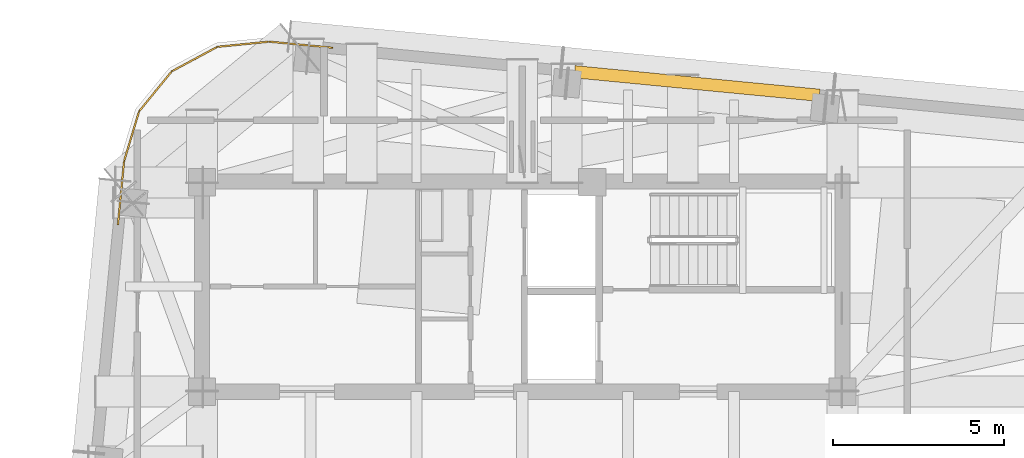
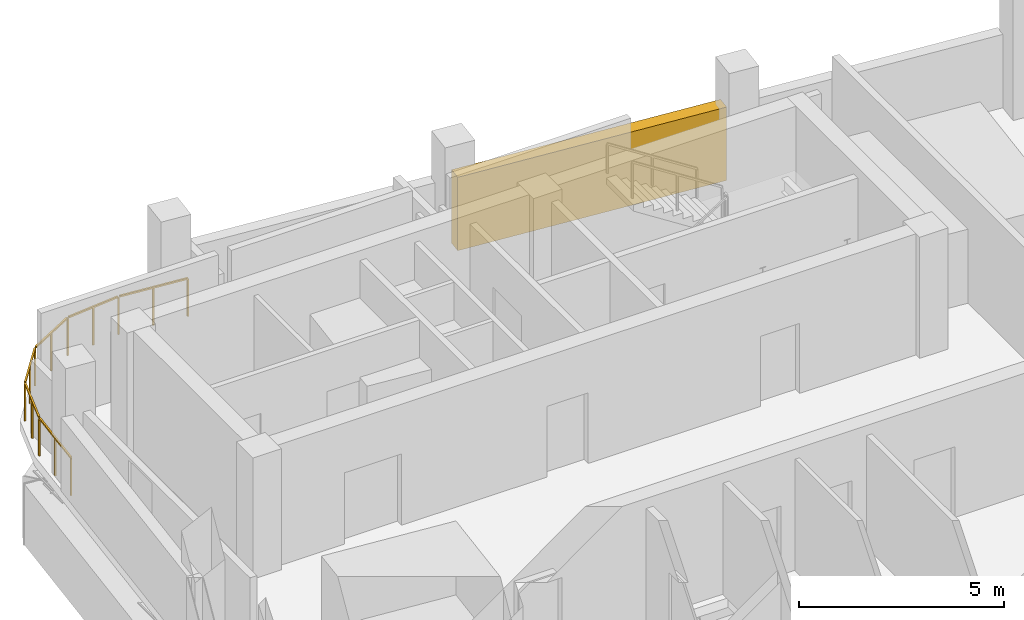
# One storey, part 10 of 10: 1 railing, 1 shading device.
"""IFC4 building model written with IfcOpenShell, lengths in metres."""

from ifc_helpers import new_model, si_unit, direction, frame, origin, origin_2d, place, context, subcontext, project, spatial, rectangle, extrude, material, type_object, element, save


model = new_model("IFC4")

# Units and contexts
model_context = context("Model", 3, precision=1e-05, world=origin(), true_north=direction((0.0, 1.0)))
body_context = subcontext(model_context, "Body", "Model", "MODEL_VIEW")
ifc_project = project(units=[si_unit("LENGTHUNIT", "METRE"), si_unit("AREAUNIT", "SQUARE_METRE"), si_unit("VOLUMEUNIT", "CUBIC_METRE"), si_unit("PLANEANGLEUNIT", "RADIAN"), si_unit("MASSUNIT", "GRAM", prefix="KILO")], contexts=[model_context])

# Site, building, storey
site_placement = place(None, origin())
site = spatial("IfcSite", under=ifc_project, at=site_placement, CompositionType="ELEMENT")
building_placement = place(site_placement, origin())
building = spatial("IfcBuilding", under=site, at=building_placement, Name="Qhalaya Broadcast Tower", CompositionType="ELEMENT")
storey_placement = place(building_placement, frame((0.0, 0.0, 289.25)))
storey = spatial("IfcBuildingStorey", under=building, at=storey_placement, Name="L85", CompositionType="ELEMENT", Elevation=289.25)

# Shading device
ifc_material_1 = material(Name="Fired Architectural Terracotta", Category="masonry")
shading_device_type = type_object("IfcShadingDeviceType", Name="Plant & Turbine-Slot Acoustic Louvre Screen LVS-01", PredefinedType="USERDEFINED", material=ifc_material_1)
shading_device_placement = place(storey_placement, frame((5.11767578125, 12.84423828125, 0.0), z_axis=(0.0, 0.0, 1.0), x_axis=(0.995396198367, -0.09584575252, 0.0)))
element("IfcShadingDevice", 1, at=shading_device_placement, inside=storey, type_object=shading_device_type, Name="L85 Plant Acoustic Louvre Screen N", ObjectType="LOUVRE", PredefinedType="USERDEFINED", context=body_context, shape_type="SweptSolid", body=[
    extrude(rectangle(XDim=7.199951171875, YDim=0.360107421875, at=origin_2d()), origin(), (0.0, 0.0, 1.0), 2.181884765625),
])

# Railing
ifc_material_2 = material(Name="Powder-Coated Galvanised Steel", Category="steel")
railing_type = type_object("IfcRailingType", Name="Terrace, Sky-Pool & Lookout Glass Balustrade 1150", PredefinedType="BALUSTRADE", material=ifc_material_2)
railing_placement = place(storey_placement, frame((-11.83544921875, 8.72216796875, 0.0)))
element("IfcRailing", 2, at=railing_placement, inside=storey, type_object=railing_type, Name="L85 Rounded Corner Perimeter Guard 03", PredefinedType="BALUSTRADE", context=body_context, shape_type="SweptSolid", body=[
    extrude(rectangle(XDim=0.048095703125, YDim=0.048095703125, at=origin_2d()), frame((0.0, 0.0, 1.1259765625), z_axis=(0.095765043948, 0.995403966417, 0.0), x_axis=(-0.995403966417, 0.095765043948, 0.0)), (0.0, 0.0, 1.0), 1.8271484375),
    extrude(rectangle(XDim=0.048095703125, YDim=0.048095703125, at=origin_2d()), frame((0.18603515625, 1.875, 1.1259765625), z_axis=(0.28828761281, 0.957543864426, 0.0), x_axis=(-0.957543864426, 0.28828761281, 0.0)), (0.0, 0.0, 1.0), 1.467529296875),
    extrude(rectangle(XDim=0.048095703125, YDim=0.048095703125, at=origin_2d()), frame((0.6357421875, 3.330322265625, 1.1259765625), z_axis=(0.632710412611, 0.774388490212, 0.0), x_axis=(-0.774388490212, 0.632710412611, 0.0)), (0.0, 0.0, 1.0), 1.455322265625),
    extrude(rectangle(XDim=0.048095703125, YDim=0.048095703125, at=origin_2d()), frame((1.60009765625, 4.4931640625, 1.1259765625), z_axis=(0.880838695406, 0.473416510775, 0.0), x_axis=(-0.473416510775, 0.880838695406, 0.0)), (0.0, 0.0, 1.0), 1.455322265625),
    extrude(rectangle(XDim=0.048095703125, YDim=0.048095703125, at=origin_2d()), frame((2.936279296875, 5.19873046875, 1.1259765625), z_axis=(0.994981557581, 0.100058483264, 0.0), x_axis=(-0.100058483264, 0.994981557581, 0.0)), (0.0, 0.0, 1.0), 1.46728515625),
    extrude(rectangle(XDim=0.048095703125, YDim=0.048095703125, at=origin_2d()), frame((4.45361328125, 5.345703125, 1.1259765625), z_axis=(0.995392627918, -0.095882825813, 0.0), x_axis=(0.095882825813, 0.995392627918, 0.0)), (0.0, 0.0, 1.0), 1.827392578125),
    extrude(rectangle(XDim=0.0419921875, YDim=0.0419921875, at=origin_2d()), origin(), (0.0, 0.0, 1.0), 1.099853515625),
    extrude(rectangle(XDim=0.0419921875, YDim=0.0419921875, at=origin_2d()), frame((0.0888671875, 0.923828125, 0.0)), (0.0, 0.0, 1.0), 1.099853515625),
    extrude(rectangle(XDim=0.0419921875, YDim=0.0419921875, at=origin_2d()), frame((0.177734375, 1.847412109375, 0.0)), (0.0, 0.0, 1.0), 1.099853515625),
    extrude(rectangle(XDim=0.0419921875, YDim=0.0419921875, at=origin_2d()), frame((0.3974609375, 2.57763671875, 0.0)), (0.0, 0.0, 1.0), 1.099853515625),
    extrude(rectangle(XDim=0.0419921875, YDim=0.0419921875, at=origin_2d()), frame((0.617431640625, 3.307861328125, 0.0)), (0.0, 0.0, 1.0), 1.099853515625),
    extrude(rectangle(XDim=0.0419921875, YDim=0.0419921875, at=origin_2d()), frame((1.09619140625, 3.8935546875, 0.0)), (0.0, 0.0, 1.0), 1.099853515625),
    extrude(rectangle(XDim=0.0419921875, YDim=0.0419921875, at=origin_2d()), frame((1.57470703125, 4.4794921875, 0.0)), (0.0, 0.0, 1.0), 1.099853515625),
    extrude(rectangle(XDim=0.0419921875, YDim=0.0419921875, at=origin_2d()), frame((2.2412109375, 4.837646484375, 0.0)), (0.0, 0.0, 1.0), 1.099853515625),
    extrude(rectangle(XDim=0.0419921875, YDim=0.0419921875, at=origin_2d()), frame((2.907470703125, 5.19580078125, 0.0)), (0.0, 0.0, 1.0), 1.099853515625),
    extrude(rectangle(XDim=0.0419921875, YDim=0.0419921875, at=origin_2d()), frame((3.666015625, 5.27197265625, 0.0)), (0.0, 0.0, 1.0), 1.099853515625),
    extrude(rectangle(XDim=0.0419921875, YDim=0.0419921875, at=origin_2d()), frame((4.4248046875, 5.348388671875, 0.0)), (0.0, 0.0, 1.0), 1.099853515625),
    extrude(rectangle(XDim=0.0419921875, YDim=0.0419921875, at=origin_2d()), frame((5.3486328125, 5.25927734375, 0.0)), (0.0, 0.0, 1.0), 1.099853515625),
    extrude(rectangle(XDim=0.0419921875, YDim=0.0419921875, at=origin_2d()), frame((6.2724609375, 5.17041015625, 0.0)), (0.0, 0.0, 1.0), 1.099853515625),
])

save(model, "model.ifc")
